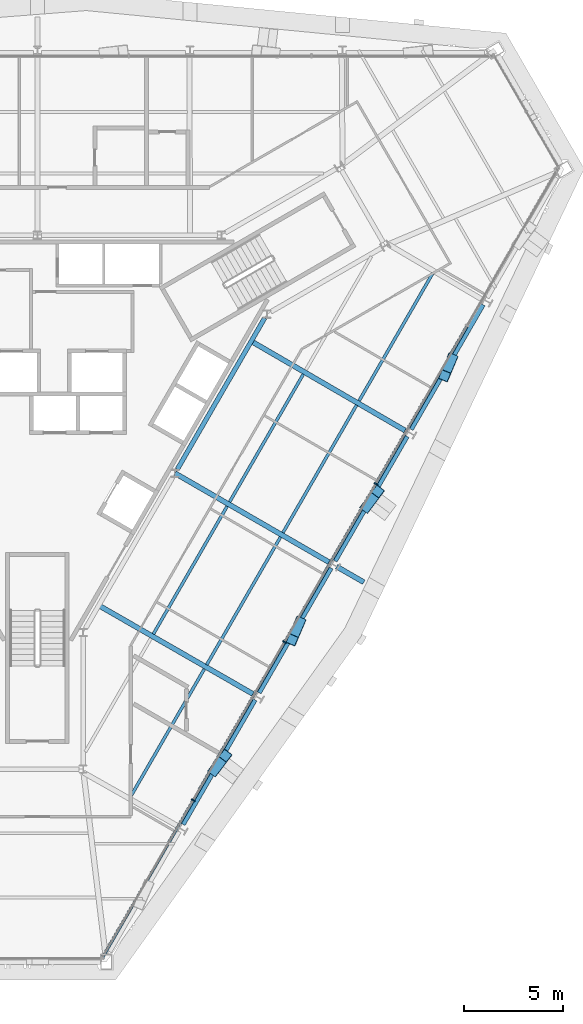
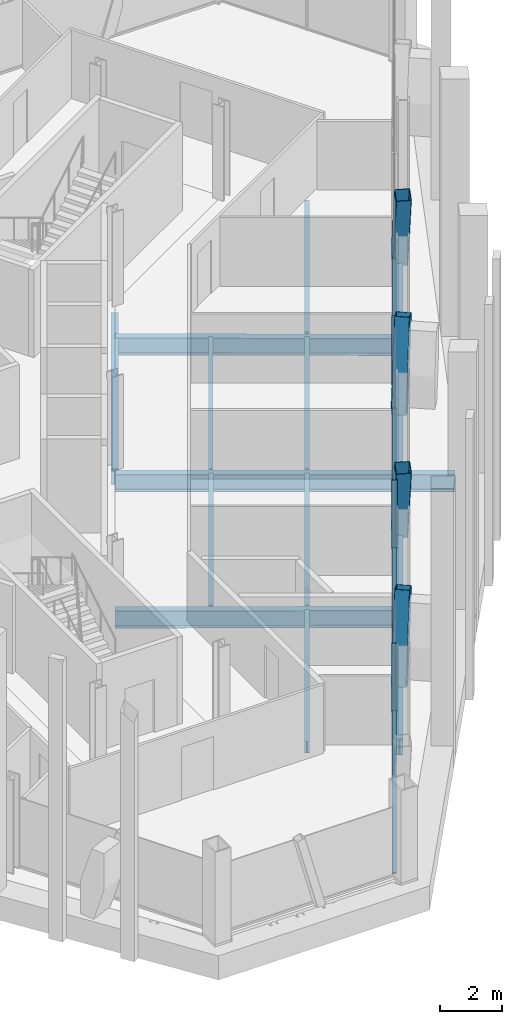
# One storey, part 4 of 13: 15 beams, 11 members, 1 element without a shape of its own.
"""IFC4 building model written with IfcOpenShell, lengths in metres."""

import ifcopenshell
import ifcopenshell.guid

model = None  # the IFC model being written
_history = None  # IfcOwnerHistory: only IFC2X3 demands one
_inside = {}  # id of a spatial element -> (the spatial element, [elements in it])
_under = {}  # id of a project, library or spatial element -> (it, [spatial elements below it])
_declared = {}  # id of a project -> (the project, [libraries it declares])
_typed = {}  # id of a type object -> (the type object, [elements of that type])
_made_of = {}  # id of a material, layer set ... -> (it, [elements and type objects made of it])


def new_model(schema):
    """Start an empty IFC model of exactly this schema.

    Asked for "IFC4X3", IfcOpenShell would pick the latest addendum, in which some entities
    have other attributes; the version numbers below select the first issue.
    IFC2X3 requires an IfcOwnerHistory on every rooted entity: one is made here for all.
    """
    global model, _history
    if schema == "IFC4X3":
        model = ifcopenshell.file(schema_version=(4, 3, 0, 0))
    else:
        model = ifcopenshell.file(schema=schema)
    _inside.clear()
    _under.clear()
    _declared.clear()
    _typed.clear()
    _made_of.clear()
    _history = None
    if model.schema == "IFC2X3":
        org = make("IfcOrganization", Name="unknown")
        user = make(
            "IfcPersonAndOrganization",
            ThePerson=make("IfcPerson", FamilyName="unknown"),
            TheOrganization=org,
        )
        app = make(
            "IfcApplication",
            ApplicationDeveloper=org,
            Version="unknown",
            ApplicationFullName="unknown",
            ApplicationIdentifier="unknown",
        )
        _history = make(
            "IfcOwnerHistory",
            OwningUser=user,
            OwningApplication=app,
            ChangeAction="ADDED",
            CreationDate=0,
        )
    return model


def make(cls, **values):
    """One entity of the class cls with the attributes given. An attribute that is None is left unset."""
    return model.create_entity(
        cls, **{name: value for name, value in values.items() if value is not None}
    )


def rooted(cls, **values):
    """An entity with a GlobalId (a new one), such as an element, a storey or a relation."""
    return make(cls, GlobalId=ifcopenshell.guid.new(), OwnerHistory=_history, **values)


def si_unit(unit_type, name, prefix=None):
    """IfcSIUnit, for example si_unit("LENGTHUNIT", "METRE", prefix="MILLI")."""
    return make("IfcSIUnit", UnitType=unit_type, Prefix=prefix, Name=name)


def assignment(units):
    """IfcUnitAssignment: the units of a project."""
    return None if units is None else make("IfcUnitAssignment", Units=units)


def point(xyz):
    """IfcCartesianPoint."""
    return None if xyz is None else make("IfcCartesianPoint", Coordinates=xyz)


def direction(xyz):
    """IfcDirection."""
    return None if xyz is None else make("IfcDirection", DirectionRatios=xyz)


def frame(location, z_axis=None, x_axis=None):
    """IfcAxis2Placement3D, a coordinate frame: its origin and axes. An axis left out is left unset."""
    return make(
        "IfcAxis2Placement3D",
        Location=point(location),
        Axis=direction(z_axis),
        RefDirection=direction(x_axis),
    )


def frame_2d(location, x_axis=None):
    """IfcAxis2Placement2D, a coordinate frame in the plane: its origin and x axis."""
    return make(
        "IfcAxis2Placement2D", Location=point(location), RefDirection=direction(x_axis)
    )


def origin():
    """The frame at (0, 0, 0) with its axes left unset."""
    return frame((0.0, 0.0, 0.0))


def origin_2d():
    """The frame at (0, 0) in the plane with its x axis left unset."""
    return frame_2d((0.0, 0.0))


def place(relative_to, where):
    """IfcLocalPlacement: puts the frame where relative to a parent placement (None: the world)."""
    return make(
        "IfcLocalPlacement", PlacementRelTo=relative_to, RelativePlacement=where
    )


def context(
    kind, dimensions, precision=None, world=None, true_north=None, identifier=None
):
    """IfcGeometricRepresentationContext, for example the 3D "Model" context."""
    return make(
        "IfcGeometricRepresentationContext",
        ContextIdentifier=identifier,
        ContextType=kind,
        CoordinateSpaceDimension=dimensions,
        Precision=precision,
        WorldCoordinateSystem=world,
        TrueNorth=true_north,
    )


def subcontext(parent, identifier, kind, view, scale=None):
    """IfcGeometricRepresentationSubContext, for example "Body" below "Model"."""
    return make(
        "IfcGeometricRepresentationSubContext",
        ContextIdentifier=identifier,
        ContextType=kind,
        ParentContext=parent,
        TargetScale=scale,
        TargetView=view,
    )


def project(units=None, contexts=None):
    """IfcProject with its units and contexts."""
    return rooted(
        "IfcProject",
        Name="project",
        RepresentationContexts=contexts,
        UnitsInContext=assignment(units),
    )


def spatial(cls, under=None, at=None, **own):
    """A site, building, storey or space (cls), placed at a placement, below another one or the project."""
    s = rooted(cls, ObjectPlacement=at, **own)
    if under is not None:
        _under.setdefault(under.id(), (under, []))[1].append(s)
    return s


def profile(cls, at=None, kind="AREA", **sizes):
    """A parametric profile (cls). Its sizes go by their IFC names, for example OverallWidth=200.0."""
    return make(cls, ProfileType=kind, Position=at, **sizes)


def rectangle(**sizes):
    """IfcRectangleProfileDef."""
    return profile("IfcRectangleProfileDef", **sizes)


def hollow_rectangle(**sizes):
    """IfcRectangleHollowProfileDef."""
    return profile("IfcRectangleHollowProfileDef", **sizes)


def i_section(**sizes):
    """IfcIShapeProfileDef."""
    return profile("IfcIShapeProfileDef", **sizes)


def extrude(swept, where, along, depth):
    """IfcExtrudedAreaSolid: the profile swept, set in the frame where, extruded along a direction by depth."""
    return make(
        "IfcExtrudedAreaSolid",
        SweptArea=swept,
        Position=where,
        ExtrudedDirection=direction(along),
        Depth=depth,
    )


def shape(context_of_items, identifier, shape_type, items):
    """IfcShapeRepresentation: the items that make up one representation, for example the "Body"."""
    return make(
        "IfcShapeRepresentation",
        ContextOfItems=context_of_items,
        RepresentationIdentifier=identifier,
        RepresentationType=shape_type,
        Items=items,
    )


def material(Name=None, Category=None):
    """IfcMaterial."""
    return make("IfcMaterial", Name=Name, Category=Category)


def material_profile(
    of_material, cross_section, Name=None, Category=None, Priority=None
):
    """IfcMaterialProfile: a cross section and its material."""
    return make(
        "IfcMaterialProfile",
        Name=Name,
        Material=of_material,
        Profile=cross_section,
        Priority=Priority,
        Category=Category,
    )


def profile_set(profiles, Name=None, composite=None):
    """IfcMaterialProfileSet."""
    return make(
        "IfcMaterialProfileSet",
        Name=Name,
        MaterialProfiles=profiles,
        CompositeProfile=composite,
    )


def made_of(thing, what):
    """Note that an element or type object is made of a material, layer set ...; save() writes the relation."""
    if what is not None:
        _made_of.setdefault(what.id(), (what, []))[1].append(thing)
    return thing


def type_object(cls, material=None, **own):
    """A type object (cls), such as IfcWallType, which elements share."""
    return made_of(rooted(cls, **own), material)


def element(
    cls,
    number,
    at=None,
    inside=None,
    cuts=None,
    type_object=None,
    material=None,
    context=None,
    identifier="Body",
    shape_type=None,
    held_by="IfcProductDefinitionShape",
    body=None,
    shapes=None,
    **own,
):
    """One element of the class cls, such as IfcWall. Its Tag is "e" and its number.

    at: its placement. inside: the storey or other place that contains it. cuts: it is an
    opening in that element (IfcRelVoidsElement). A single representation is given by context,
    identifier, shape_type and body (its items); several are given by shapes. held_by: the class
    of the entity that holds the representations. save() writes the other relations.
    """
    e = rooted(cls, Tag="e%d" % number, ObjectPlacement=at, **own)
    if body is not None:
        shapes = [shape(context, identifier, shape_type, body)]
    if shapes is not None:
        e.Representation = make(held_by, Representations=shapes)
    if inside is not None:
        _inside.setdefault(inside.id(), (inside, []))[1].append(e)
    if cuts is not None:
        rooted(
            "IfcRelVoidsElement", RelatingBuildingElement=cuts, RelatedOpeningElement=e
        )
    if type_object is not None:
        _typed.setdefault(type_object.id(), (type_object, []))[1].append(e)
    return made_of(e, material)


def aggregate(whole, parts):
    """IfcRelAggregates: a whole, such as a stair, and the parts it consists of."""
    return rooted("IfcRelAggregates", RelatingObject=whole, RelatedObjects=parts)


def save(model, path):
    """Write the relations noted so far, then the file.

    IfcRelAggregates (storeys below a building ...), IfcRelContainedInSpatialStructure (elements
    in a storey), IfcRelDefinesByType, IfcRelAssociatesMaterial and IfcRelDeclares: one each for
    every whole, place, type object, material and project.
    """
    for whole, parts in _under.values():
        aggregate(whole, parts)
    for where, things in _inside.values():
        rooted(
            "IfcRelContainedInSpatialStructure",
            RelatedElements=things,
            RelatingStructure=where,
        )
    for kind, things in _typed.values():
        rooted("IfcRelDefinesByType", RelatedObjects=things, RelatingType=kind)
    for what, things in _made_of.values():
        rooted("IfcRelAssociatesMaterial", RelatedObjects=things, RelatingMaterial=what)
    for by, libraries in _declared.values():
        rooted("IfcRelDeclares", RelatingContext=by, RelatedDefinitions=libraries)
    model.write(path)


model = new_model("IFC4")

# Units and contexts
model_context = context("Model", 3, precision=1e-05, world=origin(), true_north=direction((0.0, 1.0)))
body_context = subcontext(model_context, "Body", "Model", "MODEL_VIEW")
ifc_project = project(units=[si_unit("LENGTHUNIT", "METRE"), si_unit("AREAUNIT", "SQUARE_METRE"), si_unit("VOLUMEUNIT", "CUBIC_METRE"), si_unit("PLANEANGLEUNIT", "RADIAN"), si_unit("MASSUNIT", "GRAM", prefix="KILO")], contexts=[model_context])

# Site, building, storey
site_placement = place(None, origin())
site = spatial("IfcSite", under=ifc_project, at=site_placement, CompositionType="ELEMENT")
building_placement = place(site_placement, origin())
building = spatial("IfcBuilding", under=site, at=building_placement, Name="Verrane Prism Tower", CompositionType="ELEMENT")
storey_placement = place(building_placement, frame((0.0, 0.0, 159.89990234375)))
storey = spatial("IfcBuildingStorey", under=building, at=storey_placement, Name="L39", CompositionType="ELEMENT", Elevation=159.89990234375)

# Beam
ifc_material_1 = material(Name="Steel A992", Category="steel")
ifc_material_profile_1 = material_profile(ifc_material_1, i_section(OverallWidth=0.23046875, OverallDepth=0.6171875, WebThickness=0.01318359375, FlangeThickness=0.022216796875, FilletRadius=0.012939453125, at=origin_2d()), Name="W24x94")
ifc_profile_set_1 = profile_set([ifc_material_profile_1], Name="Steel A992")
beam_type_1 = type_object("IfcBeamType", Name="Core ring girder W24x94", PredefinedType="BEAM", material=ifc_profile_set_1)
beam_1_placement = place(storey_placement, frame((7.045166015625, -3.800537109375, -0.55859375), z_axis=(0.499967414725, 0.866044216084, 0.0), x_axis=(-0.866044216084, 0.499967414725, 0.0)))
element("IfcBeam", 1, at=beam_1_placement, inside=storey, type_object=beam_type_1, Name="Core ring girder L39", PredefinedType="BEAM", context=body_context, shape_type="SweptSolid", body=[
    extrude(i_section(OverallWidth=0.23046875, OverallDepth=0.6171875, WebThickness=0.01318359375, FlangeThickness=0.022216796875, FilletRadius=0.012939453125, at=origin_2d()), origin(), (0.0, 0.0, 1.0), 8.7998046875),
])

# Members
ifc_material_2 = material(Name="Steel A500 Grade C", Category="steel")
ifc_material_profile_2 = material_profile(ifc_material_2, hollow_rectangle(XDim=0.508056640625, YDim=0.508056640625, WallThickness=0.01904296875, InnerFilletRadius=0.009521484375, OuterFilletRadius=0.028564453125, at=origin_2d()), Name="HSS20x20x3/4")
ifc_profile_set_2 = profile_set([ifc_material_profile_2], Name="Steel A500 Grade C")
member_type_1 = type_object("IfcMemberType", Name="Facade brace HSS20x20x3/4", PredefinedType="BRACE", material=ifc_profile_set_2)
member_1_placement = place(storey_placement, frame((8.909423828125, -18.95947265625, -0.216552734375), z_axis=(0.167891824397, 0.221458708929, 0.960608336181), x_axis=(-0.796884131742, 0.604132171447, 0.0)))
element("IfcMember", 2, at=member_1_placement, inside=storey, type_object=member_type_1, Name="Facade brace SE1 L39", PredefinedType="BRACE", context=body_context, shape_type="SweptSolid", body=[
    extrude(hollow_rectangle(XDim=0.508056640625, YDim=0.508056640625, WallThickness=0.01904296875, InnerFilletRadius=0.009521484375, OuterFilletRadius=0.028564453125, at=origin_2d()), origin(), (0.0, 0.0, 1.0), 3.3271484375),
])
member_2_placement = place(storey_placement, frame((13.2109375, -11.50341796875, -0.216552734375), z_axis=(-0.113065876983, -0.265697497465, 0.9574032313), x_axis=(0.920150752475, -0.391564289382, 0.0)))
element("IfcMember", 3, at=member_2_placement, inside=storey, type_object=member_type_1, Name="Facade brace SE2 L39", PredefinedType="BRACE", context=body_context, shape_type="SweptSolid", body=[
    extrude(hollow_rectangle(XDim=0.508056640625, YDim=0.508056640625, WallThickness=0.01904296875, InnerFilletRadius=0.009521484375, OuterFilletRadius=0.028564453125, at=origin_2d()), origin(), (0.0, 0.0, 1.0), 3.338134765625),
])
member_3_placement = place(storey_placement, frame((16.568603515625, -5.685546875, -0.216552734375), z_axis=(0.173124128066, 0.230759030016, 0.957485407903), x_axis=(-0.799908717483, 0.600121690739, 0.0)))
element("IfcMember", 4, at=member_3_placement, inside=storey, type_object=member_type_1, Name="Facade brace SE3 L39", PredefinedType="BRACE", context=body_context, shape_type="SweptSolid", body=[
    extrude(hollow_rectangle(XDim=0.508056640625, YDim=0.508056640625, WallThickness=0.01904296875, InnerFilletRadius=0.009521484375, OuterFilletRadius=0.028564453125, at=origin_2d()), origin(), (0.0, 0.0, 1.0), 3.337890625),
])
member_4_placement = place(storey_placement, frame((20.87109375, 1.764892578125, -0.216552734375), z_axis=(-0.107938717074, -0.256161836374, 0.960588541958), x_axis=(0.921530994703, -0.388304810429, 0.0)))
element("IfcMember", 5, at=member_4_placement, inside=storey, type_object=member_type_1, Name="Facade brace SE4 L39", PredefinedType="BRACE", context=body_context, shape_type="SweptSolid", body=[
    extrude(hollow_rectangle(XDim=0.508056640625, YDim=0.508056640625, WallThickness=0.01904296875, InnerFilletRadius=0.009521484375, OuterFilletRadius=0.028564453125, at=origin_2d()), origin(), (0.0, 0.0, 1.0), 3.3271484375),
])

# Beams
ifc_material_3 = material(Name="Steel A992", Category="steel")
ifc_material_profile_3 = material_profile(ifc_material_3, i_section(OverallWidth=0.15234375, OverallDepth=0.449462890625, WebThickness=0.007568359375, FlangeThickness=0.0107421875, FilletRadius=0.01025390625, at=origin_2d()), Name="W18x35")
ifc_profile_set_3 = profile_set([ifc_material_profile_3], Name="Steel A992")
beam_type_2 = type_object("IfcBeamType", Name="Floor beam W18x35", PredefinedType="BEAM", material=ifc_profile_set_3)
beam_2_placement = place(storey_placement, frame((4.686279296875, -20.299072265625, -0.384765625), z_axis=(0.500022277658, 0.866012541391, 0.0), x_axis=(-0.866012541391, 0.500022277658, 0.0)))
element("IfcBeam", 6, at=beam_2_placement, inside=storey, type_object=beam_type_2, Name="Floor beam L39", PredefinedType="BEAM", context=body_context, shape_type="SweptSolid", body=[
    extrude(i_section(OverallWidth=0.15234375, OverallDepth=0.449462890625, WebThickness=0.007568359375, FlangeThickness=0.0107421875, FilletRadius=0.01025390625, at=origin_2d()), origin(), (0.0, 0.0, 1.0), 7.424560546875),
])
beam_3_placement = place(storey_placement, frame((8.525390625, -13.6494140625, -0.384765625), z_axis=(0.500006734102, 0.866021515814, 0.0), x_axis=(-0.866021515814, 0.500006734102, 0.0)))
element("IfcBeam", 7, at=beam_3_placement, inside=storey, type_object=beam_type_2, Name="Floor beam L39", PredefinedType="BEAM", context=body_context, shape_type="SweptSolid", body=[
    extrude(i_section(OverallWidth=0.15234375, OverallDepth=0.449462890625, WebThickness=0.007568359375, FlangeThickness=0.0107421875, FilletRadius=0.01025390625, at=origin_2d()), origin(), (0.0, 0.0, 1.0), 7.43408203125),
])
beam_4_placement = place(storey_placement, frame((5.837646484375, -12.098388671875, -0.384765625), z_axis=(0.499996323716, 0.866027526278, 0.0), x_axis=(-0.866027526278, 0.499996323716, 0.0)))
element("IfcBeam", 8, at=beam_4_placement, inside=storey, type_object=beam_type_2, Name="Floor beam L39", PredefinedType="BEAM", context=body_context, shape_type="SweptSolid", body=[
    extrude(i_section(OverallWidth=0.15234375, OverallDepth=0.449462890625, WebThickness=0.007568359375, FlangeThickness=0.0107421875, FilletRadius=0.01025390625, at=origin_2d()), origin(), (0.0, 0.0, 1.0), 7.43359375),
])
for number, where, z_axis, x_axis, name in (
    (9, (12.3671875, -6.990234375, -0.384765625), (0.499979562871, 0.866037202845, 0.0), (-0.866037202845, 0.499979562871, 0.0), "Floor beam L39"),
    (10, (9.680419921875, -5.440185546875, -0.384765625), (0.499979562871, 0.866037202845, 0.0), (-0.866037202845, 0.499979562871, 0.0), "Floor beam L39"),
):
    element("IfcBeam", number, at=place(storey_placement, frame(where, z_axis=z_axis, x_axis=x_axis)), inside=storey, type_object=beam_type_2, Name=name, PredefinedType="BEAM", context=body_context, shape_type="SweptSolid", body=[
        extrude(i_section(OverallWidth=0.15234375, OverallDepth=0.449462890625, WebThickness=0.007568359375, FlangeThickness=0.0107421875, FilletRadius=0.01025390625, at=origin_2d()), origin(), (0.0, 0.0, 1.0), 7.425048828125),
    ])
beam_5_placement = place(storey_placement, frame((16.206787109375, -0.340087890625, -0.384765625), z_axis=(0.50000040832, 0.866025168041, 0.0), x_axis=(-0.866025168041, 0.50000040832, 0.0)))
element("IfcBeam", 11, at=beam_5_placement, inside=storey, type_object=beam_type_2, Name="Floor beam L39", PredefinedType="BEAM", context=body_context, shape_type="SweptSolid", body=[
    extrude(i_section(OverallWidth=0.15234375, OverallDepth=0.449462890625, WebThickness=0.007568359375, FlangeThickness=0.0107421875, FilletRadius=0.01025390625, at=origin_2d()), origin(), (0.0, 0.0, 1.0), 7.42578125),
])

# Curtain wall, members
ifc_material_4 = material(Name="Aluminium framed insulated glazing", Category="aluminium")
curtain_wall_type = type_object("IfcCurtainWallType", Name="Curtain wall CW-A 8400 module", PredefinedType="NOTDEFINED", material=ifc_material_4)
curtain_wall_placement = place(storey_placement, origin())
curtain_wall = element("IfcCurtainWall", 12, at=curtain_wall_placement, inside=storey, type_object=curtain_wall_type, Name="Glazed curtain wall south-east face L39", PredefinedType="NOTDEFINED")
ifc_material_5 = material(Name="Aluminium alloy 6063-T6", Category="aluminium")
ifc_material_profile_4 = material_profile(ifc_material_5, rectangle(XDim=0.199951171875, YDim=0.070068359375, at=origin_2d()), Name="Mullion 70x200 aluminium")
ifc_profile_set_4 = profile_set([ifc_material_profile_4], Name="Aluminium alloy 6063-T6")
member_type_2 = type_object("IfcMemberType", Name="Mullion 70x200 aluminium", PredefinedType="MULLION", material=ifc_profile_set_4)
member_5_placement = place(storey_placement, frame((7.84814453125, -20.46875, 0.0), z_axis=(0.0, 0.0, 1.0), x_axis=(-0.86602596468, 0.499999028499, 0.0)))
member_5 = element("IfcMember", 13, at=member_5_placement, type_object=member_type_2, Name="CW39.6 mullion 2", PredefinedType="MULLION", context=body_context, shape_type="SweptSolid", body=[
    extrude(rectangle(XDim=0.199951171875, YDim=0.070068359375, at=origin_2d()), origin(), (0.0, 0.0, 1.0), 2.712890625),
])
member_6_placement = place(storey_placement, frame((12.448974609375, -12.5, 0.0), z_axis=(0.0, 0.0, 1.0), x_axis=(-0.86602596468, 0.499999028499, 0.0)))
member_6 = element("IfcMember", 14, at=member_6_placement, type_object=member_type_2, Name="CW39.6 mullion 3", PredefinedType="MULLION", context=body_context, shape_type="SweptSolid", body=[
    extrude(rectangle(XDim=0.199951171875, YDim=0.070068359375, at=origin_2d()), origin(), (0.0, 0.0, 1.0), 2.712890625),
])
member_7_placement = place(storey_placement, frame((17.0498046875, -4.531005859375, 0.0), z_axis=(0.0, 0.0, 1.0), x_axis=(-0.86602596468, 0.499999028499, 0.0)))
member_7 = element("IfcMember", 15, at=member_7_placement, type_object=member_type_2, Name="CW39.6 mullion 4", PredefinedType="MULLION", context=body_context, shape_type="SweptSolid", body=[
    extrude(rectangle(XDim=0.199951171875, YDim=0.070068359375, at=origin_2d()), origin(), (0.0, 0.0, 1.0), 2.712890625),
])

# Beams
ifc_material_6 = material(Name="Steel A992", Category="steel")
ifc_material_profile_5 = material_profile(ifc_material_6, i_section(OverallWidth=0.25390625, OverallDepth=0.683349609375, WebThickness=0.012451171875, FlangeThickness=0.01904296875, FilletRadius=0.01513671875, at=origin_2d()), Name="W27x94")
ifc_profile_set_5 = profile_set([ifc_material_profile_5], Name="Steel A992")
beam_type_3 = type_object("IfcBeamType", Name="Radial girder W27x94", PredefinedType="BEAM", material=ifc_profile_set_5)
beam_6_placement = place(storey_placement, frame((10.87255859375, -15.12451171875, -0.5615234375), z_axis=(-0.867240483121, 0.497889490184, 0.0), x_axis=(-0.497889490184, -0.867240483121, 0.0)))
element("IfcBeam", 16, at=beam_6_placement, inside=storey, type_object=beam_type_3, Name="Radial girder L39", PredefinedType="BEAM", context=body_context, shape_type="SweptSolid", body=[
    extrude(i_section(OverallWidth=0.25390625, OverallDepth=0.683349609375, WebThickness=0.012451171875, FlangeThickness=0.01904296875, FilletRadius=0.01513671875, at=origin_2d()), origin(), (0.0, 0.0, 1.0), 8.976318359375),
])
beam_7_placement = place(storey_placement, frame((14.701416015625, -8.483642578125, -0.5615234375), z_axis=(-0.866010671214, 0.500025516692, 0.0), x_axis=(-0.500025516692, -0.866010671214, 0.0)))
element("IfcBeam", 17, at=beam_7_placement, inside=storey, type_object=beam_type_3, Name="Radial girder L39", PredefinedType="BEAM", context=body_context, shape_type="SweptSolid", body=[
    extrude(i_section(OverallWidth=0.25390625, OverallDepth=0.683349609375, WebThickness=0.012451171875, FlangeThickness=0.01904296875, FilletRadius=0.01513671875, at=origin_2d()), origin(), (0.0, 0.0, 1.0), 8.97216796875),
])
beam_8_placement = place(storey_placement, frame((18.53173828125, -1.85302734375, -0.5615234375), z_axis=(-0.864802283896, 0.502112546914, 0.0), x_axis=(-0.502112546914, -0.864802283896, 0.0)))
element("IfcBeam", 18, at=beam_8_placement, inside=storey, type_object=beam_type_3, Name="Radial girder L39", PredefinedType="BEAM", context=body_context, shape_type="SweptSolid", body=[
    extrude(i_section(OverallWidth=0.25390625, OverallDepth=0.683349609375, WebThickness=0.012451171875, FlangeThickness=0.01904296875, FilletRadius=0.01513671875, at=origin_2d()), origin(), (0.0, 0.0, 1.0), 8.974365234375),
])
beam_9_placement = place(storey_placement, frame((15.07421875, -8.698486328125, -0.5615234375), z_axis=(0.865987176435, -0.500066205867, 0.0), x_axis=(0.500066205867, 0.865987176435, 0.0)))
element("IfcBeam", 19, at=beam_9_placement, inside=storey, type_object=beam_type_3, Name="Cantilever girder L39", PredefinedType="BEAM", context=body_context, shape_type="SweptSolid", body=[
    extrude(i_section(OverallWidth=0.25390625, OverallDepth=0.683349609375, WebThickness=0.012451171875, FlangeThickness=0.01904296875, FilletRadius=0.01513671875, at=origin_2d()), origin(), (0.0, 0.0, 1.0), 1.577880859375),
])
ifc_material_7 = material(Name="Steel A992", Category="steel")
ifc_material_profile_6 = material_profile(ifc_material_7, i_section(OverallWidth=0.23046875, OverallDepth=0.6171875, WebThickness=0.01318359375, FlangeThickness=0.022216796875, FilletRadius=0.012939453125, at=origin_2d()), Name="W24x94")
ifc_profile_set_6 = profile_set([ifc_material_profile_6], Name="Steel A992")
beam_type_4 = type_object("IfcBeamType", Name="Spandrel beam W24x94", PredefinedType="SPANDREL", material=ifc_profile_set_6)
beam_10_placement = place(storey_placement, frame((7.33544921875, -21.686279296875, -0.468505859375), z_axis=(0.499929530379, 0.866066085617, 0.0), x_axis=(-0.866066085617, 0.499929530379, 0.0)))
element("IfcBeam", 20, at=beam_10_placement, inside=storey, type_object=beam_type_4, Name="Spandrel beam L39", PredefinedType="SPANDREL", context=body_context, shape_type="SweptSolid", body=[
    extrude(i_section(OverallWidth=0.23046875, OverallDepth=0.6171875, WebThickness=0.01318359375, FlangeThickness=0.022216796875, FilletRadius=0.012939453125, at=origin_2d()), origin(), (0.0, 0.0, 1.0), 7.24609375),
])
beam_11_placement = place(storey_placement, frame((11.163818359375, -15.05419921875, -0.468505859375), z_axis=(0.499473778252, 0.866329004962, 0.0), x_axis=(-0.866329004962, 0.499473778252, 0.0)))
element("IfcBeam", 21, at=beam_11_placement, inside=storey, type_object=beam_type_4, Name="Spandrel beam L39", PredefinedType="SPANDREL", context=body_context, shape_type="SweptSolid", body=[
    extrude(i_section(OverallWidth=0.23046875, OverallDepth=0.6171875, WebThickness=0.01318359375, FlangeThickness=0.022216796875, FilletRadius=0.012939453125, at=origin_2d()), origin(), (0.0, 0.0, 1.0), 7.253173828125),
])
beam_12_placement = place(storey_placement, frame((14.9921875, -8.414306640625, -0.468505859375), z_axis=(0.50021921565, 0.865898802572, 0.0), x_axis=(-0.865898802572, 0.50021921565, 0.0)))
element("IfcBeam", 22, at=beam_12_placement, inside=storey, type_object=beam_type_4, Name="Spandrel beam L39", PredefinedType="SPANDREL", context=body_context, shape_type="SweptSolid", body=[
    extrude(i_section(OverallWidth=0.23046875, OverallDepth=0.6171875, WebThickness=0.01318359375, FlangeThickness=0.022216796875, FilletRadius=0.012939453125, at=origin_2d()), origin(), (0.0, 0.0, 1.0), 7.245849609375),
])
beam_13_placement = place(storey_placement, frame((18.822509765625, -1.783935546875, -0.468505859375), z_axis=(0.499929530379, 0.866066085617, 0.0), x_axis=(-0.866066085617, 0.499929530379, 0.0)))
element("IfcBeam", 23, at=beam_13_placement, inside=storey, type_object=beam_type_4, Name="Spandrel beam L39", PredefinedType="SPANDREL", context=body_context, shape_type="SweptSolid", body=[
    extrude(i_section(OverallWidth=0.23046875, OverallDepth=0.6171875, WebThickness=0.01318359375, FlangeThickness=0.022216796875, FilletRadius=0.012939453125, at=origin_2d()), origin(), (0.0, 0.0, 1.0), 7.24609375),
])

# Member
ifc_material_8 = material(Name="Aluminium alloy 6063-T6", Category="aluminium")
ifc_material_profile_7 = material_profile(ifc_material_8, rectangle(XDim=0.14990234375, YDim=0.070068359375, at=origin_2d()), Name="Transom 70x150 aluminium")
ifc_profile_set_7 = profile_set([ifc_material_profile_7], Name="Aluminium alloy 6063-T6")
member_type_3 = type_object("IfcMemberType", Name="Transom 70x150 aluminium", PredefinedType="USERDEFINED", material=ifc_profile_set_7)
member_8_placement = place(storey_placement, frame((3.2822265625, -28.376953125, 0.03515625), z_axis=(0.500001238203, 0.866024688907, 0.0), x_axis=(-0.866024688907, 0.500001238203, 0.0)))
member_8 = element("IfcMember", 24, at=member_8_placement, type_object=member_type_3, Name="CW39.6 transom 1", ObjectType="TRANSOM", PredefinedType="USERDEFINED", context=body_context, shape_type="SweptSolid", body=[
    extrude(rectangle(XDim=0.14990234375, YDim=0.070068359375, at=origin_2d()), origin(), (0.0, 0.0, 1.0), 9.0966796875),
])

member_9_placement = place(storey_placement, frame((7.865478515625, -20.4384765625, 0.03515625), z_axis=(0.500009425886, 0.866019961678, 0.0), x_axis=(-0.866019961678, 0.500009425886, 0.0)))
member_9 = element("IfcMember", 25, at=member_9_placement, type_object=member_type_3, Name="CW39.6 transom 2", ObjectType="TRANSOM", PredefinedType="USERDEFINED", context=body_context, shape_type="SweptSolid", body=[
    extrude(rectangle(XDim=0.14990234375, YDim=0.070068359375, at=origin_2d()), origin(), (0.0, 0.0, 1.0), 9.131591796875),
])

member_10_placement = place(storey_placement, frame((12.46630859375, -12.4697265625, 0.03515625), z_axis=(0.499997849104, 0.866026645601, 0.0), x_axis=(-0.866026645601, 0.499997849104, 0.0)))
member_10 = element("IfcMember", 26, at=member_10_placement, type_object=member_type_3, Name="CW39.6 transom 3", ObjectType="TRANSOM", PredefinedType="USERDEFINED", context=body_context, shape_type="SweptSolid", body=[
    extrude(rectangle(XDim=0.14990234375, YDim=0.070068359375, at=origin_2d()), origin(), (0.0, 0.0, 1.0), 9.1318359375),
])

member_11_placement = place(storey_placement, frame((17.067138671875, -4.500732421875, 0.03515625), z_axis=(0.500009425886, 0.866019961678, 0.0), x_axis=(-0.866019961678, 0.500009425886, 0.0)))
member_11 = element("IfcMember", 27, at=member_11_placement, type_object=member_type_3, Name="CW39.6 transom 4", ObjectType="TRANSOM", PredefinedType="USERDEFINED", context=body_context, shape_type="SweptSolid", body=[
    extrude(rectangle(XDim=0.14990234375, YDim=0.070068359375, at=origin_2d()), origin(), (0.0, 0.0, 1.0), 9.131591796875),
])

aggregate(curtain_wall, [member_5, member_6, member_7, member_8, member_9, member_10, member_11])

save(model, "model.ifc")
